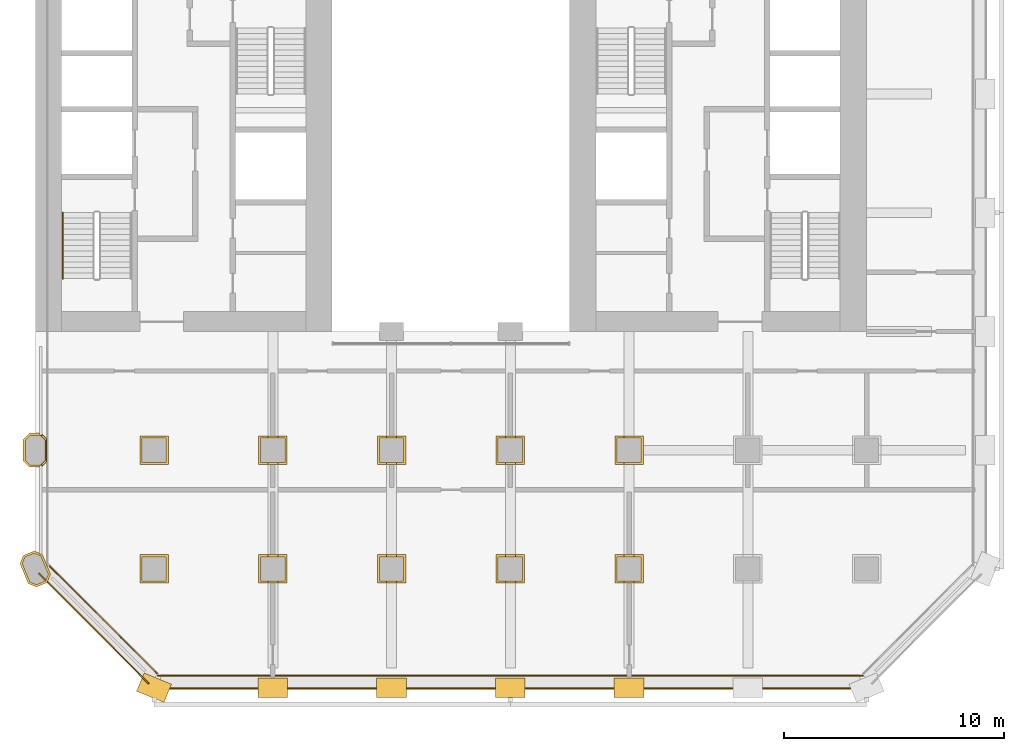
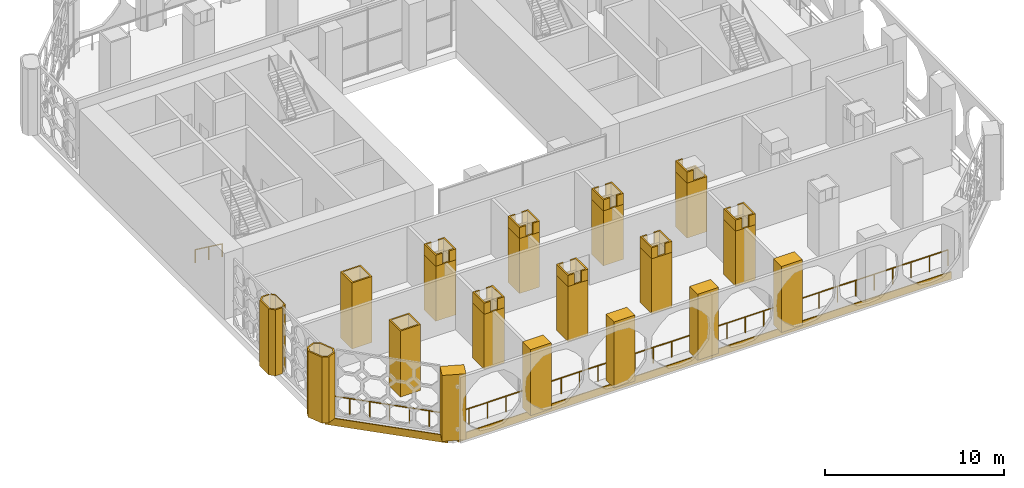
# One storey, part 11 of 14: 35 coverings, 3 railings.
"""IFC4 building model written with IfcOpenShell, lengths in metres."""

from ifc_helpers import new_model, si_unit, direction, frame, frame_2d, origin, origin_2d, place, context, subcontext, project, spatial, polyline, rectangle, circle, outline, extrude, material, layer, layer_set, type_object, element, save


model = new_model("IFC4")

# Units and contexts
model_context = context("Model", 3, precision=1e-05, world=origin(), true_north=direction((0.0, 1.0)))
body_context = subcontext(model_context, "Body", "Model", "MODEL_VIEW")
ifc_project = project(units=[si_unit("LENGTHUNIT", "METRE"), si_unit("AREAUNIT", "SQUARE_METRE"), si_unit("VOLUMEUNIT", "CUBIC_METRE"), si_unit("PLANEANGLEUNIT", "RADIAN"), si_unit("MASSUNIT", "GRAM", prefix="KILO")], contexts=[model_context])

# Site, building, storey
site_placement = place(None, origin())
site = spatial("IfcSite", under=ifc_project, at=site_placement, CompositionType="ELEMENT")
building_placement = place(site_placement, origin())
building = spatial("IfcBuilding", under=site, at=building_placement, Name="Tabaq Tower and Sports Hall", CompositionType="ELEMENT")
storey_placement = place(building_placement, frame((0.0, 0.0, 60.199951171875)))
storey = spatial("IfcBuildingStorey", under=building, at=storey_placement, Name="L13", CompositionType="ELEMENT", Elevation=60.199951171875)

# Coverings
ifc_material_1 = material(Name="Precast concrete C60/75", Category="concrete")
ifc_layer_1 = layer(ifc_material_1, 0.10009765625)
ifc_layer_set_1 = layer_set([ifc_layer_1], Name="Column cladding 100")
covering_type_1 = type_object("IfcCoveringType", Name="Column cladding 100", PredefinedType="CLADDING", material=ifc_layer_set_1)
covering_1_placement = place(storey_placement, origin())
element("IfcCovering", 1, at=covering_1_placement, inside=storey, type_object=covering_type_1, Name="Column cladding L13 PC-2B-O1", PredefinedType="CLADDING", context=body_context, shape_type="SweptSolid", body=[
    extrude(outline(polyline([(5.450439453125, 4.582275390625), (5.080078125, 4.73583984375), (4.7041015625, 5.6435546875), (4.857421875, 6.013916015625), (5.349609375, 6.217529296875), (5.589599609375, 6.1181640625), (5.589599609375, 6.07470703125), (5.694580078125, 6.07470703125), (5.7197265625, 6.064208984375), (5.90966796875, 5.60595703125), (5.90966796875, 5.565673828125), (5.909912109375, 5.561767578125), (5.910400390625, 5.557861328125), (5.911376953125, 5.553955078125), (5.912841796875, 5.55029296875), (5.91455078125, 5.546630859375), (5.91650390625, 5.543212890625), (5.9189453125, 5.5400390625), (5.92138671875, 5.537109375), (5.92431640625, 5.534423828125), (5.927490234375, 5.5322265625), (5.930908203125, 5.530029296875), (5.9345703125, 5.528564453125), (5.938232421875, 5.527099609375), (5.942138671875, 5.526123046875), (5.94287109375, 5.526123046875), (6.095947265625, 5.156494140625), (5.9423828125, 4.7861328125), (5.450439453125, 4.582275390625)]), holes=[polyline([(5.349609375, 6.110107421875), (4.93359375, 5.937744140625), (4.811767578125, 5.6435546875), (5.15625, 4.811767578125), (5.450439453125, 4.68994140625), (5.866455078125, 4.8623046875), (5.98828125, 5.156494140625), (5.643798828125, 5.98828125), (5.349609375, 6.110107421875)])]), origin(), (0.0, 0.0, 1.0), 4.5),
])
covering_2_placement = place(storey_placement, origin())
element("IfcCovering", 2, at=covering_2_placement, inside=storey, type_object=covering_type_1, Name="Column cladding L13 PC-2C-O1", PredefinedType="CLADDING", context=body_context, shape_type="SweptSolid", body=[
    extrude(outline(polyline([(5.1337890625, 10.025390625), (4.850341796875, 10.30859375), (4.850341796875, 11.291259765625), (5.1337890625, 11.57470703125), (5.589599609375, 11.57470703125), (5.589599609375, 11.475341796875), (5.1748046875, 11.475341796875), (4.94970703125, 11.250244140625), (4.94970703125, 10.349853515625), (5.1748046875, 10.124755859375), (5.589599609375, 10.124755859375), (5.589599609375, 10.025390625), (5.1337890625, 10.025390625)])), origin(), (0.0, 0.0, 1.0), 4.5),
])
covering_3_placement = place(storey_placement, origin())
element("IfcCovering", 3, at=covering_3_placement, inside=storey, type_object=covering_type_1, Name="Column cladding L13 PC-2C-O1 2", PredefinedType="CLADDING", context=body_context, shape_type="SweptSolid", body=[
    extrude(outline(polyline([(5.90966796875, 11.331298828125), (5.90966796875, 10.268798828125), (5.710205078125, 10.0693359375), (5.710205078125, 10.125244140625), (5.625732421875, 10.125244140625), (5.850341796875, 10.349853515625), (5.850341796875, 11.250244140625), (5.625732421875, 11.474609375), (5.710205078125, 11.474609375), (5.710205078125, 11.53076171875), (5.90966796875, 11.331298828125)])), origin(), (0.0, 0.0, 1.0), 4.5),
])
covering_4_placement = place(storey_placement, origin())
element("IfcCovering", 4, at=covering_4_placement, inside=storey, type_object=covering_type_1, Name="Column cladding L13 CC-3B-O1", PredefinedType="CLADDING", context=body_context, shape_type="SweptSolid", body=[
    extrude(outline(polyline([(10.150390625, 6.0498046875), (11.44970703125, 6.0498046875), (11.44970703125, 4.750244140625), (10.150390625, 4.750244140625), (10.150390625, 6.0498046875)]), holes=[polyline([(11.350341796875, 4.849609375), (11.350341796875, 5.9501953125), (10.249755859375, 5.9501953125), (10.249755859375, 4.849609375), (11.350341796875, 4.849609375)])]), origin(), (0.0, 0.0, 1.0), 4.5),
])
covering_5_placement = place(storey_placement, origin())
element("IfcCovering", 5, at=covering_5_placement, inside=storey, type_object=covering_type_1, Name="Column cladding L13 CC-3C-O1", PredefinedType="CLADDING", context=body_context, shape_type="SweptSolid", body=[
    extrude(outline(polyline([(10.150390625, 11.44970703125), (11.44970703125, 11.44970703125), (11.44970703125, 10.150390625), (10.150390625, 10.150390625), (10.150390625, 11.44970703125)]), holes=[polyline([(11.350341796875, 10.249755859375), (11.350341796875, 11.350341796875), (10.249755859375, 11.350341796875), (10.249755859375, 10.249755859375), (11.350341796875, 10.249755859375)])]), origin(), (0.0, 0.0, 1.0), 4.5),
])
covering_6_placement = place(storey_placement, origin())
element("IfcCovering", 6, at=covering_6_placement, inside=storey, type_object=covering_type_1, Name="Column cladding L13 CC-4B-O1", PredefinedType="CLADDING", context=body_context, shape_type="SweptSolid", body=[
    extrude(outline(polyline([(15.55029296875, 6.0498046875), (16.849609375, 6.0498046875), (16.849609375, 4.750244140625), (15.55029296875, 4.750244140625), (15.55029296875, 6.0498046875)]), holes=[polyline([(16.750244140625, 4.849609375), (16.750244140625, 5.9501953125), (15.649658203125, 5.9501953125), (15.649658203125, 4.849609375), (16.750244140625, 4.849609375)])]), origin(), (0.0, 0.0, 1.0), 3.75),
])
covering_7_placement = place(storey_placement, frame((0.0, 0.0, 3.75)))
element("IfcCovering", 7, at=covering_7_placement, inside=storey, type_object=covering_type_1, Name="Column cladding L13 CC-4B-O1 head", PredefinedType="CLADDING", context=body_context, shape_type="SweptSolid", body=[
    extrude(outline(polyline([(16.425537109375, 4.849365234375), (16.75048828125, 4.849365234375), (16.75048828125, 5.95068359375), (16.425537109375, 5.95068359375), (16.425537109375, 6.04931640625), (16.849365234375, 6.04931640625), (16.849365234375, 4.75048828125), (16.425537109375, 4.75048828125), (16.425537109375, 4.849365234375)])), origin(), (0.0, 0.0, 1.0), 0.75),
])
covering_8_placement = place(storey_placement, frame((0.0, 0.0, 3.75)))
element("IfcCovering", 8, at=covering_8_placement, inside=storey, type_object=covering_type_1, Name="Column cladding L13 CC-4B-O1 head 2", PredefinedType="CLADDING", context=body_context, shape_type="SweptSolid", body=[
    extrude(outline(polyline([(15.974365234375, 4.849365234375), (15.974365234375, 4.75048828125), (15.550537109375, 4.75048828125), (15.550537109375, 6.04931640625), (15.974365234375, 6.04931640625), (15.974365234375, 5.95068359375), (15.6494140625, 5.95068359375), (15.6494140625, 4.849365234375), (15.974365234375, 4.849365234375)])), origin(), (0.0, 0.0, 1.0), 0.75),
])
covering_9_placement = place(storey_placement, origin())
element("IfcCovering", 9, at=covering_9_placement, inside=storey, type_object=covering_type_1, Name="Column cladding L13 CC-4C-O1", PredefinedType="CLADDING", context=body_context, shape_type="SweptSolid", body=[
    extrude(outline(polyline([(15.55029296875, 11.44970703125), (16.849609375, 11.44970703125), (16.849609375, 10.150390625), (15.55029296875, 10.150390625), (15.55029296875, 11.44970703125)]), holes=[polyline([(16.750244140625, 10.249755859375), (16.750244140625, 11.350341796875), (15.649658203125, 11.350341796875), (15.649658203125, 10.249755859375), (16.750244140625, 10.249755859375)])]), origin(), (0.0, 0.0, 1.0), 3.75),
])
covering_10_placement = place(storey_placement, frame((0.0, 0.0, 3.75)))
element("IfcCovering", 10, at=covering_10_placement, inside=storey, type_object=covering_type_1, Name="Column cladding L13 CC-4C-O1 head", PredefinedType="CLADDING", context=body_context, shape_type="SweptSolid", body=[
    extrude(outline(polyline([(16.849609375, 11.44970703125), (16.849609375, 10.150390625), (16.42529296875, 10.150390625), (16.42529296875, 10.249755859375), (16.750244140625, 10.249755859375), (16.750244140625, 11.350341796875), (16.42529296875, 11.350341796875), (16.42529296875, 11.44970703125), (16.849609375, 11.44970703125)])), origin(), (0.0, 0.0, 1.0), 0.75),
])
covering_11_placement = place(storey_placement, frame((0.0, 0.0, 3.75)))
element("IfcCovering", 11, at=covering_11_placement, inside=storey, type_object=covering_type_1, Name="Column cladding L13 CC-4C-O1 head 2", PredefinedType="CLADDING", context=body_context, shape_type="SweptSolid", body=[
    extrude(outline(polyline([(15.974609375, 11.44970703125), (15.974609375, 11.350341796875), (15.649658203125, 11.350341796875), (15.649658203125, 10.249755859375), (15.974609375, 10.249755859375), (15.974609375, 10.150390625), (15.55029296875, 10.150390625), (15.55029296875, 11.44970703125), (15.974609375, 11.44970703125)])), origin(), (0.0, 0.0, 1.0), 0.75),
])
covering_12_placement = place(storey_placement, origin())
element("IfcCovering", 12, at=covering_12_placement, inside=storey, type_object=covering_type_1, Name="Column cladding L13 CC-5B-O1", PredefinedType="CLADDING", context=body_context, shape_type="SweptSolid", body=[
    extrude(outline(polyline([(20.9501953125, 6.0498046875), (22.249755859375, 6.0498046875), (22.249755859375, 4.750244140625), (20.9501953125, 4.750244140625), (20.9501953125, 6.0498046875)]), holes=[polyline([(22.150390625, 4.849609375), (22.150390625, 5.9501953125), (21.0498046875, 5.9501953125), (21.0498046875, 4.849609375), (22.150390625, 4.849609375)])]), origin(), (0.0, 0.0, 1.0), 3.75),
])
covering_13_placement = place(storey_placement, frame((0.0, 0.0, 3.75)))
element("IfcCovering", 13, at=covering_13_placement, inside=storey, type_object=covering_type_1, Name="Column cladding L13 CC-5B-O1 head", PredefinedType="CLADDING", context=body_context, shape_type="SweptSolid", body=[
    extrude(outline(polyline([(21.37451171875, 4.849365234375), (21.37451171875, 4.75048828125), (20.95068359375, 4.75048828125), (20.95068359375, 6.04931640625), (21.37451171875, 6.04931640625), (21.37451171875, 5.95068359375), (21.04931640625, 5.95068359375), (21.04931640625, 4.849365234375), (21.37451171875, 4.849365234375)])), origin(), (0.0, 0.0, 1.0), 0.75),
])
covering_14_placement = place(storey_placement, frame((0.0, 0.0, 3.75)))
element("IfcCovering", 14, at=covering_14_placement, inside=storey, type_object=covering_type_1, Name="Column cladding L13 CC-5B-O1 head 2", PredefinedType="CLADDING", context=body_context, shape_type="SweptSolid", body=[
    extrude(outline(polyline([(21.82568359375, 4.849365234375), (22.150634765625, 4.849365234375), (22.150634765625, 5.95068359375), (21.82568359375, 5.95068359375), (21.82568359375, 6.04931640625), (22.24951171875, 6.04931640625), (22.24951171875, 4.75048828125), (21.82568359375, 4.75048828125), (21.82568359375, 4.849365234375)])), origin(), (0.0, 0.0, 1.0), 0.75),
])
covering_15_placement = place(storey_placement, origin())
element("IfcCovering", 15, at=covering_15_placement, inside=storey, type_object=covering_type_1, Name="Column cladding L13 CC-5C-O1", PredefinedType="CLADDING", context=body_context, shape_type="SweptSolid", body=[
    extrude(outline(polyline([(20.9501953125, 11.44970703125), (22.249755859375, 11.44970703125), (22.249755859375, 10.150390625), (20.9501953125, 10.150390625), (20.9501953125, 11.44970703125)]), holes=[polyline([(22.150390625, 10.249755859375), (22.150390625, 11.350341796875), (21.0498046875, 11.350341796875), (21.0498046875, 10.249755859375), (22.150390625, 10.249755859375)])]), origin(), (0.0, 0.0, 1.0), 3.75),
])
covering_16_placement = place(storey_placement, frame((0.0, 0.0, 3.75)))
element("IfcCovering", 16, at=covering_16_placement, inside=storey, type_object=covering_type_1, Name="Column cladding L13 CC-5C-O1 head", PredefinedType="CLADDING", context=body_context, shape_type="SweptSolid", body=[
    extrude(outline(polyline([(21.374755859375, 11.44970703125), (21.374755859375, 11.350341796875), (21.0498046875, 11.350341796875), (21.0498046875, 10.249755859375), (21.374755859375, 10.249755859375), (21.374755859375, 10.150390625), (20.9501953125, 10.150390625), (20.9501953125, 11.44970703125), (21.374755859375, 11.44970703125)])), origin(), (0.0, 0.0, 1.0), 0.75),
])
covering_17_placement = place(storey_placement, frame((0.0, 0.0, 3.75)))
element("IfcCovering", 17, at=covering_17_placement, inside=storey, type_object=covering_type_1, Name="Column cladding L13 CC-5C-O1 head 2", PredefinedType="CLADDING", context=body_context, shape_type="SweptSolid", body=[
    extrude(outline(polyline([(22.249755859375, 11.44970703125), (22.249755859375, 10.150390625), (21.8251953125, 10.150390625), (21.8251953125, 10.249755859375), (22.150390625, 10.249755859375), (22.150390625, 11.350341796875), (21.8251953125, 11.350341796875), (21.8251953125, 11.44970703125), (22.249755859375, 11.44970703125)])), origin(), (0.0, 0.0, 1.0), 0.75),
])
covering_18_placement = place(storey_placement, origin())
element("IfcCovering", 18, at=covering_18_placement, inside=storey, type_object=covering_type_1, Name="Column cladding L13 CC-6B-O1", PredefinedType="CLADDING", context=body_context, shape_type="SweptSolid", body=[
    extrude(outline(polyline([(26.350341796875, 6.0498046875), (27.649658203125, 6.0498046875), (27.649658203125, 4.750244140625), (26.350341796875, 4.750244140625), (26.350341796875, 6.0498046875)]), holes=[polyline([(27.55029296875, 4.849609375), (27.55029296875, 5.9501953125), (26.44970703125, 5.9501953125), (26.44970703125, 4.849609375), (27.55029296875, 4.849609375)])]), origin(), (0.0, 0.0, 1.0), 3.75),
])
covering_19_placement = place(storey_placement, frame((0.0, 0.0, 3.75)))
element("IfcCovering", 19, at=covering_19_placement, inside=storey, type_object=covering_type_1, Name="Column cladding L13 CC-6B-O1 head", PredefinedType="CLADDING", context=body_context, shape_type="SweptSolid", body=[
    extrude(outline(polyline([(26.7744140625, 4.849365234375), (26.7744140625, 4.75048828125), (26.3505859375, 4.75048828125), (26.3505859375, 6.04931640625), (26.7744140625, 6.04931640625), (26.7744140625, 5.95068359375), (26.449462890625, 5.95068359375), (26.449462890625, 4.849365234375), (26.7744140625, 4.849365234375)])), origin(), (0.0, 0.0, 1.0), 0.75),
])
covering_20_placement = place(storey_placement, frame((0.0, 0.0, 3.75)))
element("IfcCovering", 20, at=covering_20_placement, inside=storey, type_object=covering_type_1, Name="Column cladding L13 CC-6B-O1 head 2", PredefinedType="CLADDING", context=body_context, shape_type="SweptSolid", body=[
    extrude(outline(polyline([(27.2255859375, 4.849365234375), (27.550537109375, 4.849365234375), (27.550537109375, 5.95068359375), (27.2255859375, 5.95068359375), (27.2255859375, 6.04931640625), (27.6494140625, 6.04931640625), (27.6494140625, 4.75048828125), (27.2255859375, 4.75048828125), (27.2255859375, 4.849365234375)])), origin(), (0.0, 0.0, 1.0), 0.75),
])
covering_21_placement = place(storey_placement, origin())
element("IfcCovering", 21, at=covering_21_placement, inside=storey, type_object=covering_type_1, Name="Column cladding L13 CC-6C-O1", PredefinedType="CLADDING", context=body_context, shape_type="SweptSolid", body=[
    extrude(outline(polyline([(26.350341796875, 11.44970703125), (27.649658203125, 11.44970703125), (27.649658203125, 10.150390625), (26.350341796875, 10.150390625), (26.350341796875, 11.44970703125)]), holes=[polyline([(27.55029296875, 10.249755859375), (27.55029296875, 11.350341796875), (26.44970703125, 11.350341796875), (26.44970703125, 10.249755859375), (27.55029296875, 10.249755859375)])]), origin(), (0.0, 0.0, 1.0), 3.75),
])
covering_22_placement = place(storey_placement, frame((0.0, 0.0, 3.75)))
element("IfcCovering", 22, at=covering_22_placement, inside=storey, type_object=covering_type_1, Name="Column cladding L13 CC-6C-O1 head", PredefinedType="CLADDING", context=body_context, shape_type="SweptSolid", body=[
    extrude(outline(polyline([(26.774658203125, 11.44970703125), (26.774658203125, 11.350341796875), (26.44970703125, 11.350341796875), (26.44970703125, 10.249755859375), (26.774658203125, 10.249755859375), (26.774658203125, 10.150390625), (26.350341796875, 10.150390625), (26.350341796875, 11.44970703125), (26.774658203125, 11.44970703125)])), origin(), (0.0, 0.0, 1.0), 0.75),
])
covering_23_placement = place(storey_placement, frame((0.0, 0.0, 3.75)))
element("IfcCovering", 23, at=covering_23_placement, inside=storey, type_object=covering_type_1, Name="Column cladding L13 CC-6C-O1 head 2", PredefinedType="CLADDING", context=body_context, shape_type="SweptSolid", body=[
    extrude(outline(polyline([(27.649658203125, 11.44970703125), (27.649658203125, 10.150390625), (27.225341796875, 10.150390625), (27.225341796875, 10.249755859375), (27.55029296875, 10.249755859375), (27.55029296875, 11.350341796875), (27.225341796875, 11.350341796875), (27.225341796875, 11.44970703125), (27.649658203125, 11.44970703125)])), origin(), (0.0, 0.0, 1.0), 0.75),
])
covering_24_placement = place(storey_placement, origin())
element("IfcCovering", 24, at=covering_24_placement, inside=storey, type_object=covering_type_1, Name="Column cladding L13 CC-7B-O1", PredefinedType="CLADDING", context=body_context, shape_type="SweptSolid", body=[
    extrude(outline(polyline([(31.750244140625, 6.0498046875), (33.0498046875, 6.0498046875), (33.0498046875, 4.750244140625), (31.750244140625, 4.750244140625), (31.750244140625, 6.0498046875)]), holes=[polyline([(32.9501953125, 4.849609375), (32.9501953125, 5.9501953125), (31.849609375, 5.9501953125), (31.849609375, 4.849609375), (32.9501953125, 4.849609375)])]), origin(), (0.0, 0.0, 1.0), 3.75),
])
covering_25_placement = place(storey_placement, frame((0.0, 0.0, 3.75)))
element("IfcCovering", 25, at=covering_25_placement, inside=storey, type_object=covering_type_1, Name="Column cladding L13 CC-7B-O1 head", PredefinedType="CLADDING", context=body_context, shape_type="SweptSolid", body=[
    extrude(outline(polyline([(32.62548828125, 4.849365234375), (32.95068359375, 4.849365234375), (32.95068359375, 5.95068359375), (32.62548828125, 5.95068359375), (32.62548828125, 6.04931640625), (33.04931640625, 6.04931640625), (33.04931640625, 4.75048828125), (32.62548828125, 4.75048828125), (32.62548828125, 4.849365234375)])), origin(), (0.0, 0.0, 1.0), 0.75),
])
covering_26_placement = place(storey_placement, frame((0.0, 0.0, 3.75)))
element("IfcCovering", 26, at=covering_26_placement, inside=storey, type_object=covering_type_1, Name="Column cladding L13 CC-7B-O1 head 2", PredefinedType="CLADDING", context=body_context, shape_type="SweptSolid", body=[
    extrude(outline(polyline([(32.17431640625, 4.849365234375), (32.17431640625, 4.75048828125), (31.75048828125, 4.75048828125), (31.75048828125, 6.04931640625), (32.17431640625, 6.04931640625), (32.17431640625, 5.95068359375), (31.849365234375, 5.95068359375), (31.849365234375, 4.849365234375), (32.17431640625, 4.849365234375)])), origin(), (0.0, 0.0, 1.0), 0.75),
])
covering_27_placement = place(storey_placement, origin())
element("IfcCovering", 27, at=covering_27_placement, inside=storey, type_object=covering_type_1, Name="Column cladding L13 CC-7C-O1", PredefinedType="CLADDING", context=body_context, shape_type="SweptSolid", body=[
    extrude(outline(polyline([(31.750244140625, 11.44970703125), (33.0498046875, 11.44970703125), (33.0498046875, 10.150390625), (31.750244140625, 10.150390625), (31.750244140625, 11.44970703125)]), holes=[polyline([(32.9501953125, 10.249755859375), (32.9501953125, 11.350341796875), (31.849609375, 11.350341796875), (31.849609375, 10.249755859375), (32.9501953125, 10.249755859375)])]), origin(), (0.0, 0.0, 1.0), 3.75),
])
covering_28_placement = place(storey_placement, frame((0.0, 0.0, 3.75)))
element("IfcCovering", 28, at=covering_28_placement, inside=storey, type_object=covering_type_1, Name="Column cladding L13 CC-7C-O1 head", PredefinedType="CLADDING", context=body_context, shape_type="SweptSolid", body=[
    extrude(outline(polyline([(32.1748046875, 11.44970703125), (32.1748046875, 11.350341796875), (31.849609375, 11.350341796875), (31.849609375, 10.249755859375), (32.1748046875, 10.249755859375), (32.1748046875, 10.150390625), (31.750244140625, 10.150390625), (31.750244140625, 11.44970703125), (32.1748046875, 11.44970703125)])), origin(), (0.0, 0.0, 1.0), 0.75),
])
ifc_material_2 = material(Name="Precast concrete C60/75", Category="concrete")
ifc_layer_2 = layer(ifc_material_2, 0.06005859375)
ifc_layer_set_2 = layer_set([ifc_layer_2], Name="Edge beam cladding 60")
covering_type_2 = type_object("IfcCoveringType", Name="Edge beam cladding 60", PredefinedType="CLADDING", material=ifc_layer_set_2)
covering_29_placement = place(storey_placement, frame((11.0986328125, -0.030029296875, -0.5), z_axis=(0.0, 0.0, 1.0), x_axis=(1.0, 0.0, 0.0)))
element("IfcCovering", 29, at=covering_29_placement, inside=storey, type_object=covering_type_2, Name="Edge beam cladding L13 1", PredefinedType="CLADDING", context=body_context, shape_type="SweptSolid", body=[
    extrude(rectangle(XDim=31.802734375, YDim=0.06005859375, at=frame_2d((15.9013671875, 0.0))), origin(), (0.0, 0.0, 1.0), 0.5),
])
covering_30_placement = place(storey_placement, frame((5.5556640625, 5.201904296875, -0.5), z_axis=(0.0, 0.0, 1.0), x_axis=(0.707106781187, -0.707106781187, 0.0)))
element("IfcCovering", 30, at=covering_30_placement, inside=storey, type_object=covering_type_2, Name="Edge beam cladding L13 5", PredefinedType="CLADDING", context=body_context, shape_type="SweptSolid", body=[
    extrude(rectangle(XDim=7.087890625, YDim=0.06005859375, at=frame_2d((3.5439453125, 0.0))), origin(), (0.0, 0.0, 1.0), 0.5),
])

# Railings
ifc_material_3 = material(Name="Stainless steel S316 and laminated glass", Category="steel")
railing_type_1 = type_object("IfcRailingType", Name="Guard 1100 steel and glass", PredefinedType="GUARDRAIL", material=ifc_material_3)
railing_1_placement = place(storey_placement, frame((10.965576171875, 0.550048828125, 0.0)))
element("IfcRailing", 31, at=railing_1_placement, inside=storey, type_object=railing_type_1, Name="Guard L13 S", PredefinedType="GUARDRAIL", context=body_context, shape_type="SweptSolid", body=[
    extrude(circle(Radius=0.02490234375, at=origin_2d()), frame((0.0, 0.0, 1.0751953125), z_axis=(1.0, 0.0, 0.0), x_axis=(0.0, 1.0, 0.0)), (0.0, 0.0, 1.0), 32.06884765625),
    extrude(circle(Radius=0.02001953125, at=origin_2d()), origin(), (0.0, 0.0, 1.0), 1.050048828125),
    extrude(circle(Radius=0.02001953125, at=origin_2d()), frame((1.187744140625, 0.0, 0.0)), (0.0, 0.0, 1.0), 1.050048828125),
    extrude(circle(Radius=0.02001953125, at=origin_2d()), frame((2.37548828125, 0.0, 0.0)), (0.0, 0.0, 1.0), 1.050048828125),
    extrude(circle(Radius=0.02001953125, at=origin_2d()), frame((3.563232421875, 0.0, 0.0)), (0.0, 0.0, 1.0), 1.050048828125),
    extrude(circle(Radius=0.02001953125, at=origin_2d()), frame((4.7509765625, 0.0, 0.0)), (0.0, 0.0, 1.0), 1.050048828125),
    extrude(circle(Radius=0.02001953125, at=origin_2d()), frame((5.938720703125, 0.0, 0.0)), (0.0, 0.0, 1.0), 1.050048828125),
    extrude(circle(Radius=0.02001953125, at=origin_2d()), frame((7.12646484375, 0.0, 0.0)), (0.0, 0.0, 1.0), 1.050048828125),
    extrude(circle(Radius=0.02001953125, at=origin_2d()), frame((8.314208984375, 0.0, 0.0)), (0.0, 0.0, 1.0), 1.050048828125),
    extrude(circle(Radius=0.02001953125, at=origin_2d()), frame((9.501953125, 0.0, 0.0)), (0.0, 0.0, 1.0), 1.050048828125),
    extrude(circle(Radius=0.02001953125, at=origin_2d()), frame((10.689697265625, 0.0, 0.0)), (0.0, 0.0, 1.0), 1.050048828125),
    extrude(circle(Radius=0.02001953125, at=origin_2d()), frame((11.87744140625, 0.0, 0.0)), (0.0, 0.0, 1.0), 1.050048828125),
    extrude(circle(Radius=0.02001953125, at=origin_2d()), frame((13.065185546875, 0.0, 0.0)), (0.0, 0.0, 1.0), 1.050048828125),
    extrude(circle(Radius=0.02001953125, at=origin_2d()), frame((14.2529296875, 0.0, 0.0)), (0.0, 0.0, 1.0), 1.050048828125),
    extrude(circle(Radius=0.02001953125, at=origin_2d()), frame((15.440673828125, 0.0, 0.0)), (0.0, 0.0, 1.0), 1.050048828125),
    extrude(circle(Radius=0.02001953125, at=origin_2d()), frame((16.628173828125, 0.0, 0.0)), (0.0, 0.0, 1.0), 1.050048828125),
    extrude(circle(Radius=0.02001953125, at=origin_2d()), frame((17.81591796875, 0.0, 0.0)), (0.0, 0.0, 1.0), 1.050048828125),
    extrude(circle(Radius=0.02001953125, at=origin_2d()), frame((19.003662109375, 0.0, 0.0)), (0.0, 0.0, 1.0), 1.050048828125),
    extrude(circle(Radius=0.02001953125, at=origin_2d()), frame((20.19140625, 0.0, 0.0)), (0.0, 0.0, 1.0), 1.050048828125),
    extrude(circle(Radius=0.02001953125, at=origin_2d()), frame((21.379150390625, 0.0, 0.0)), (0.0, 0.0, 1.0), 1.050048828125),
    extrude(circle(Radius=0.02001953125, at=origin_2d()), frame((22.56689453125, 0.0, 0.0)), (0.0, 0.0, 1.0), 1.050048828125),
    extrude(circle(Radius=0.02001953125, at=origin_2d()), frame((23.754638671875, 0.0, 0.0)), (0.0, 0.0, 1.0), 1.050048828125),
    extrude(circle(Radius=0.02001953125, at=origin_2d()), frame((24.9423828125, 0.0, 0.0)), (0.0, 0.0, 1.0), 1.050048828125),
    extrude(circle(Radius=0.02001953125, at=origin_2d()), frame((26.130126953125, 0.0, 0.0)), (0.0, 0.0, 1.0), 1.050048828125),
    extrude(circle(Radius=0.02001953125, at=origin_2d()), frame((27.31787109375, 0.0, 0.0)), (0.0, 0.0, 1.0), 1.050048828125),
    extrude(circle(Radius=0.02001953125, at=origin_2d()), frame((28.505615234375, 0.0, 0.0)), (0.0, 0.0, 1.0), 1.050048828125),
    extrude(circle(Radius=0.02001953125, at=origin_2d()), frame((29.693359375, 0.0, 0.0)), (0.0, 0.0, 1.0), 1.050048828125),
    extrude(circle(Radius=0.02001953125, at=origin_2d()), frame((30.881103515625, 0.0, 0.0)), (0.0, 0.0, 1.0), 1.050048828125),
    extrude(circle(Radius=0.02001953125, at=origin_2d()), frame((32.06884765625, 0.0, 0.0)), (0.0, 0.0, 1.0), 1.050048828125),
])
railing_2_placement = place(storey_placement, frame((6.049072265625, 5.52880859375, 0.0)))
element("IfcRailing", 32, at=railing_2_placement, inside=storey, type_object=railing_type_1, Name="Guard L13 SW", PredefinedType="GUARDRAIL", context=body_context, shape_type="SweptSolid", body=[
    extrude(circle(Radius=0.02490234375, at=origin_2d()), frame((0.0, 0.0, 1.0751953125), z_axis=(0.70708909224, -0.70712446969, 0.0), x_axis=(0.70712446969, 0.70708909224, 0.0)), (0.0, 0.0, 1.0), 6.901123046875),
    extrude(circle(Radius=0.02001953125, at=origin_2d()), origin(), (0.0, 0.0, 1.0), 1.050048828125),
    extrude(circle(Radius=0.02001953125, at=origin_2d()), frame((0.813232421875, -0.813232421875, 0.0)), (0.0, 0.0, 1.0), 1.050048828125),
    extrude(circle(Radius=0.02001953125, at=origin_2d()), frame((1.62646484375, -1.626708984375, 0.0)), (0.0, 0.0, 1.0), 1.050048828125),
    extrude(circle(Radius=0.02001953125, at=origin_2d()), frame((2.43994140625, -2.43994140625, 0.0)), (0.0, 0.0, 1.0), 1.050048828125),
    extrude(circle(Radius=0.02001953125, at=origin_2d()), frame((3.253173828125, -3.253173828125, 0.0)), (0.0, 0.0, 1.0), 1.050048828125),
    extrude(circle(Radius=0.02001953125, at=origin_2d()), frame((4.06640625, -4.066650390625, 0.0)), (0.0, 0.0, 1.0), 1.050048828125),
    extrude(circle(Radius=0.02001953125, at=origin_2d()), frame((4.879638671875, -4.8798828125, 0.0)), (0.0, 0.0, 1.0), 1.050048828125),
])

# Coverings
ifc_material_4 = material(Name="White precast concrete C60/75", Category="concrete")
covering_type_3 = type_object("IfcCoveringType", Name="Pier cladding hung 1350x900", PredefinedType="CLADDING", material=ifc_material_4)
for number, where, z_axis, x_axis, name in (
    (33, (10.17626953125, 0.25830078125, 0.0), (0.0, 0.0, 1.0), (0.923893411637, -0.382649923473, 0.0), "Hung pier cladding 2/0"),
    (34, (15.52490234375, 0.0, 0.0), (0.0, 0.0, 1.0), (1.0, 0.0, 0.0), "Hung pier cladding 3/0"),
):
    element("IfcCovering", number, at=place(storey_placement, frame(where, z_axis=z_axis, x_axis=x_axis)), inside=storey, type_object=covering_type_3, Name=name, PredefinedType="CLADDING", context=body_context, shape_type="SweptSolid", body=[
        extrude(rectangle(XDim=1.35009765625, YDim=0.89990234375, at=frame_2d((0.675048828125, 0.0))), origin(), (0.0, 0.0, 1.0), 4.5),
    ])
covering_31_placement = place(storey_placement, frame((20.925048828125, 0.0, 0.0), z_axis=(0.0, 0.0, 1.0), x_axis=(1.0, 0.0, 0.0)))
element("IfcCovering", 35, at=covering_31_placement, inside=storey, type_object=covering_type_3, Name="Hung pier cladding 4/0", PredefinedType="CLADDING", context=body_context, shape_type="SweptSolid", body=[
    extrude(rectangle(XDim=1.349853515625, YDim=0.89990234375, at=frame_2d((0.6748046875, 0.0))), origin(), (0.0, 0.0, 1.0), 4.5),
])
covering_32_placement = place(storey_placement, frame((26.324951171875, 0.0, 0.0), z_axis=(0.0, 0.0, 1.0), x_axis=(1.0, 0.0, 0.0)))
element("IfcCovering", 36, at=covering_32_placement, inside=storey, type_object=covering_type_3, Name="Hung pier cladding 5/0", PredefinedType="CLADDING", context=body_context, shape_type="SweptSolid", body=[
    extrude(rectangle(XDim=1.35009765625, YDim=0.89990234375, at=frame_2d((0.675048828125, 0.0))), origin(), (0.0, 0.0, 1.0), 4.5),
])
covering_33_placement = place(storey_placement, frame((31.72509765625, 0.0, 0.0), z_axis=(0.0, 0.0, 1.0), x_axis=(1.0, 0.0, 0.0)))
element("IfcCovering", 37, at=covering_33_placement, inside=storey, type_object=covering_type_3, Name="Hung pier cladding 6/0", PredefinedType="CLADDING", context=body_context, shape_type="SweptSolid", body=[
    extrude(rectangle(XDim=1.349853515625, YDim=0.89990234375, at=frame_2d((0.6748046875, 0.0))), origin(), (0.0, 0.0, 1.0), 4.5),
])

# Railing
ifc_material_5 = material(Name="Stainless steel", Category="steel")
railing_type_2 = type_object("IfcRailingType", Name="Stair handrail", PredefinedType="HANDRAIL", material=ifc_material_5)
railing_3_placement = place(storey_placement, frame((6.64990234375, 21.60009765625, 0.1845703125)))
element("IfcRailing", 38, at=railing_3_placement, inside=storey, type_object=railing_type_2, Name="L13 ST1 stair handrail 1", PredefinedType="HANDRAIL", context=body_context, shape_type="SweptSolid", body=[
    extrude(circle(Radius=0.02392578125, at=origin_2d()), frame((0.0, 0.0, 0.8759765625), z_axis=(0.0, -0.804408721428, 0.594076265214), x_axis=(1.0, 0.0, 0.0)), (0.0, 0.0, 1.0), 3.7294921875),
    extrude(circle(Radius=0.02099609375, at=origin_2d()), origin(), (0.0, 0.0, 1.0), 0.851806640625),
    extrude(circle(Radius=0.02099609375, at=origin_2d()), frame((0.0, -1.5, 1.10791015625)), (0.0, 0.0, 1.0), 0.851806640625),
    extrude(circle(Radius=0.02099609375, at=origin_2d()), frame((0.0, -3.0, 2.215576171875)), (0.0, 0.0, 1.0), 0.851806640625),
])

save(model, "model.ifc")
